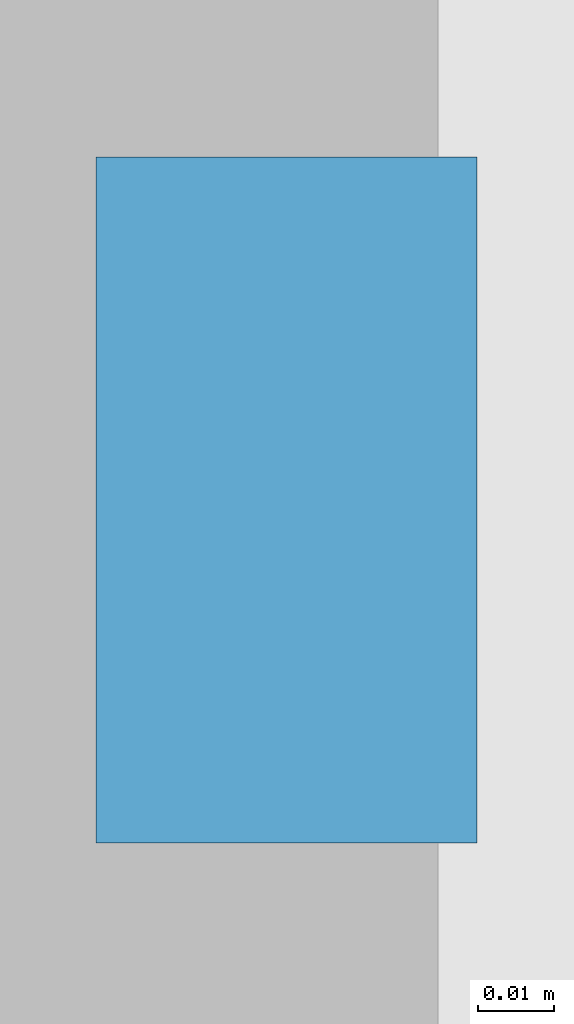
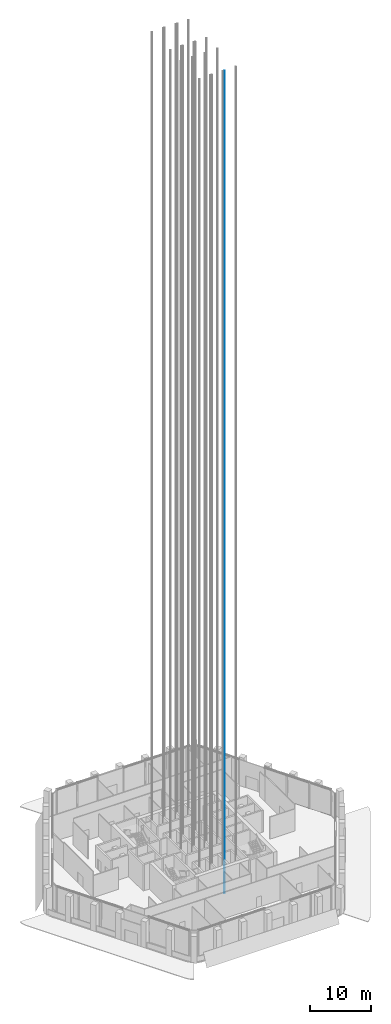
# One storey, part 19 of 42: 1 discrete accessory.
"""IFC4 building model written with IfcOpenShell, lengths in metres."""

from ifc_helpers import new_model, si_unit, direction, frame, origin, origin_2d, place, context, subcontext, project, spatial, rectangle, extrude, element, save


model = new_model("IFC4")

# Units and contexts
model_context = context("Model", 3, precision=1e-05, world=origin(), true_north=direction((0.0, 1.0)))
body_context = subcontext(model_context, "Body", "Model", "MODEL_VIEW")
ifc_project = project(units=[si_unit("LENGTHUNIT", "METRE"), si_unit("AREAUNIT", "SQUARE_METRE"), si_unit("VOLUMEUNIT", "CUBIC_METRE"), si_unit("PLANEANGLEUNIT", "RADIAN"), si_unit("MASSUNIT", "GRAM", prefix="KILO")], contexts=[model_context])

# Site, building, storey
site_placement = place(None, origin())
site = spatial("IfcSite", under=ifc_project, at=site_placement, CompositionType="ELEMENT")
building_placement = place(site_placement, origin())
building = spatial("IfcBuilding", under=site, at=building_placement, Name="Kolab Exchange Tower", CompositionType="ELEMENT")
storey_placement = place(building_placement, frame((0.0, 0.0, 133.39990234375)))
storey = spatial("IfcBuildingStorey", under=building, at=storey_placement, Name="L26", CompositionType="ELEMENT", Elevation=133.39990234375)

# Discrete accessory
discrete_accessory_placement = place(storey_placement, frame((1.330078125, -7.800048828125, -1.599853515625), z_axis=(0.0, 0.0, 1.0), x_axis=(1.0, 0.0, 0.0)))
element("IfcDiscreteAccessory", 1, at=discrete_accessory_placement, inside=storey, Name="Guide rail HR12-1", ObjectType="GUIDE RAIL", PredefinedType="USERDEFINED", context=body_context, shape_type="SweptSolid", body=[
    extrude(rectangle(XDim=0.050048828125, YDim=0.090087890625, at=origin_2d()), origin(), (0.0, 0.0, 1.0), 165.60009765625),
])

save(model, "model.ifc")
